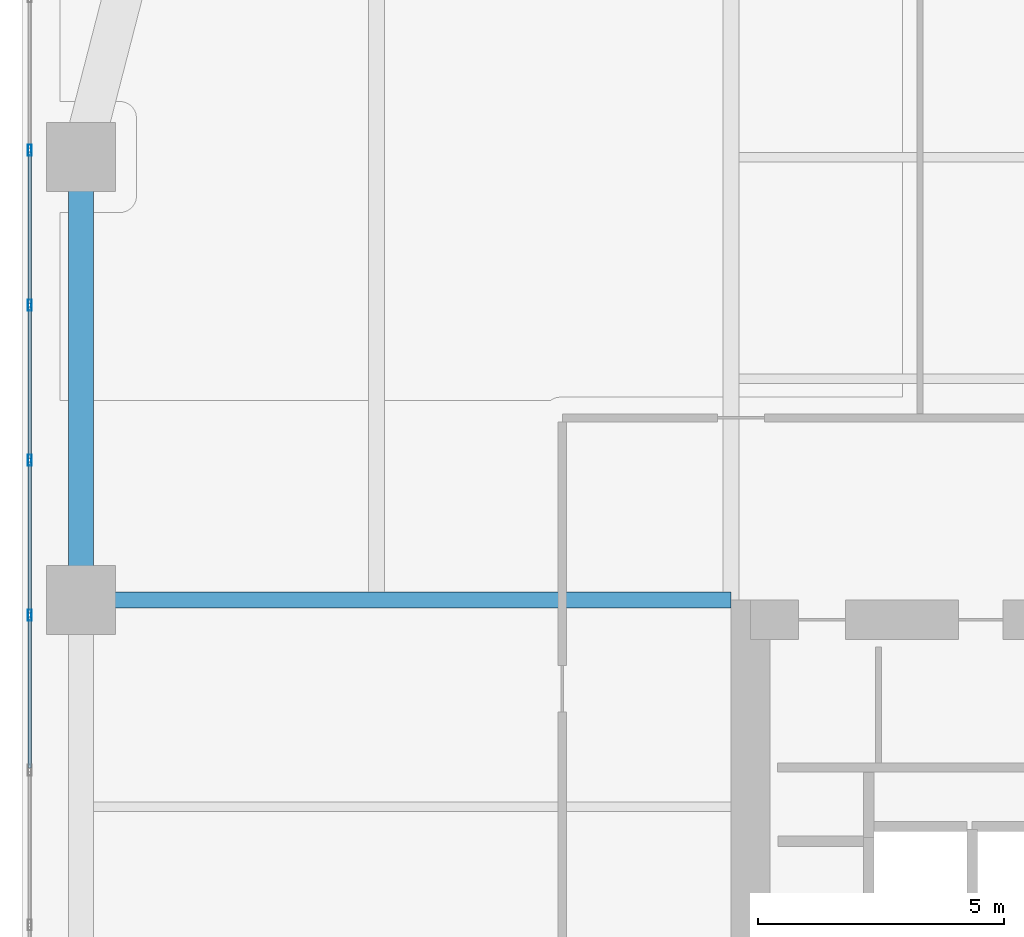
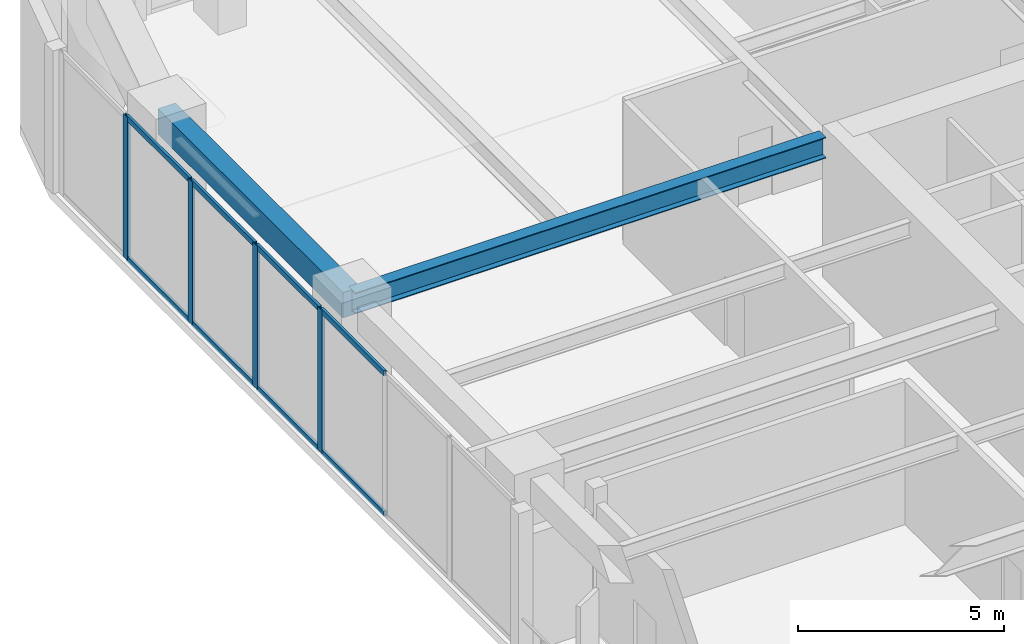
# One storey, part 7 of 20: 12 members, 2 beams, 1 element without a shape of its own.
"""IFC4 building model written with IfcOpenShell, lengths in metres."""

from ifc_helpers import new_model, si_unit, direction, frame, origin, origin_2d, place, context, subcontext, project, spatial, rectangle, hollow_rectangle, i_section, extrude, material, layer, layer_set, material_profile, profile_set, type_object, element, aggregate, save


model = new_model("IFC4")

# Units and contexts
model_context = context("Model", 3, precision=1e-05, world=origin(), true_north=direction((0.0, 1.0)))
body_context = subcontext(model_context, "Body", "Model", "MODEL_VIEW")
ifc_project = project(units=[si_unit("LENGTHUNIT", "METRE"), si_unit("AREAUNIT", "SQUARE_METRE"), si_unit("VOLUMEUNIT", "CUBIC_METRE"), si_unit("PLANEANGLEUNIT", "RADIAN"), si_unit("MASSUNIT", "GRAM", prefix="KILO")], contexts=[model_context])

# Site, building, storey
site_placement = place(None, origin())
site = spatial("IfcSite", under=ifc_project, at=site_placement, CompositionType="ELEMENT")
building_placement = place(site_placement, origin())
building = spatial("IfcBuilding", under=site, at=building_placement, Name="Kiyonajd Concourse Tower", CompositionType="ELEMENT")
storey_placement = place(building_placement, frame((0.0, 0.0, 125.39990234375)))
storey = spatial("IfcBuildingStorey", under=building, at=storey_placement, Name="L32", CompositionType="ELEMENT", Elevation=125.39990234375)

# Beams
ifc_material_1 = material(Name="Precast concrete C50/60", Category="concrete")
ifc_material_profile_1 = material_profile(ifc_material_1, rectangle(XDim=0.5, YDim=0.75, at=origin_2d()), Name="RCBM-500x750")
ifc_profile_set_1 = profile_set([ifc_material_profile_1], Name="Precast concrete C50/60")
beam_type_1 = type_object("IfcBeamType", Name="BM-SPAN-RC", PredefinedType="SPANDREL", material=ifc_profile_set_1)
beam_1_placement = place(storey_placement, frame((19.199951171875, 53.39990234375, 3.864990234375), z_axis=(0.0, -1.0, 0.0), x_axis=(1.0, 0.0, 0.0)))
element("IfcBeam", 1, at=beam_1_placement, inside=storey, type_object=beam_type_1, Name="L32 Perimeter Bundled Tube Spandrel", PredefinedType="SPANDREL", context=body_context, shape_type="SweptSolid", body=[
    extrude(rectangle(XDim=0.5, YDim=0.75, at=origin_2d()), origin(), (0.0, 0.0, 1.0), 9.0),
])
ifc_material_2 = material(Name="Steel ASTM A992 Grade 50", Category="steel")
ifc_material_profile_2 = material_profile(ifc_material_2, i_section(OverallWidth=0.326904296875, OverallDepth=0.6220703125, WebThickness=0.015380859375, FlangeThickness=0.0244140625, at=origin_2d()), Name="W610X195")
ifc_profile_set_2 = profile_set([ifc_material_profile_2], Name="Steel ASTM A992 Grade 50")
beam_type_2 = type_object("IfcBeamType", Name="BM-TWR-610A", PredefinedType="BEAM", material=ifc_profile_set_2)
beam_2_placement = place(storey_placement, frame((19.199951171875, 44.39990234375, 3.92919921875), z_axis=(1.0, 0.0, 0.0), x_axis=(0.0, 1.0, 0.0)))
element("IfcBeam", 2, at=beam_2_placement, inside=storey, type_object=beam_type_2, Name="L32 West Lease Girder", PredefinedType="BEAM", context=body_context, shape_type="SweptSolid", body=[
    extrude(i_section(OverallWidth=0.326904296875, OverallDepth=0.6220703125, WebThickness=0.015380859375, FlangeThickness=0.0244140625, at=origin_2d()), origin(), (0.0, 0.0, 1.0), 13.199951171875),
])

# Curtain wall, members
ifc_material_3 = material(Name="Thermally Broken Anodised Aluminium", Category="aluminium")
ifc_layer = layer(ifc_material_3, 0.179931640625)
ifc_layer_set = layer_set([ifc_layer], Name="Thermally Broken Anodised Aluminium")
curtain_wall_type = type_object("IfcCurtainWallType", Name="CW-SYS-05", PredefinedType="NOTDEFINED", material=ifc_layer_set)
curtain_wall_placement = place(storey_placement, origin())
curtain_wall = element("IfcCurtainWall", 3, at=curtain_wall_placement, inside=storey, type_object=curtain_wall_type, Name="L32 Unitised Curtain Wall CW5", PredefinedType="NOTDEFINED")
ifc_material_profile_3 = material_profile(ifc_material_3, hollow_rectangle(XDim=0.074951171875, YDim=0.219970703125, WallThickness=0.0048828125, at=origin_2d()), Name="MULL-75x220")
ifc_profile_set_3 = profile_set([ifc_material_profile_3], Name="Thermally Broken Anodised Aluminium")
member_type_1 = type_object("IfcMemberType", Name="MB-CW-MULL2", PredefinedType="MULLION", material=ifc_profile_set_3)
member_1_placement = place(storey_placement, frame((18.159912109375, 44.09521484375, 0.0), z_axis=(0.0, 0.0, 1.0), x_axis=(-1.0, 0.0, 0.0)))
member_1 = element("IfcMember", 4, at=member_1_placement, type_object=member_type_1, Name="CW5 mullion 4", PredefinedType="MULLION", context=body_context, shape_type="SweptSolid", body=[
    extrude(hollow_rectangle(XDim=0.074951171875, YDim=0.219970703125, WallThickness=0.0048828125, at=origin_2d()), origin(), (0.0, 0.0, 1.0), 4.239990234375),
])
member_2_placement = place(storey_placement, frame((18.159912109375, 47.24365234375, 0.0), z_axis=(0.0, 0.0, 1.0), x_axis=(-1.0, 0.0, 0.0)))
member_2 = element("IfcMember", 5, at=member_2_placement, type_object=member_type_1, Name="CW5 mullion 5", PredefinedType="MULLION", context=body_context, shape_type="SweptSolid", body=[
    extrude(hollow_rectangle(XDim=0.074951171875, YDim=0.219970703125, WallThickness=0.0048828125, at=origin_2d()), origin(), (0.0, 0.0, 1.0), 4.239990234375),
])
member_3_placement = place(storey_placement, frame((18.159912109375, 50.39208984375, 0.0), z_axis=(0.0, 0.0, 1.0), x_axis=(-1.0, 0.0, 0.0)))
member_3 = element("IfcMember", 6, at=member_3_placement, type_object=member_type_1, Name="CW5 mullion 6", PredefinedType="MULLION", context=body_context, shape_type="SweptSolid", body=[
    extrude(hollow_rectangle(XDim=0.074951171875, YDim=0.219970703125, WallThickness=0.0048828125, at=origin_2d()), origin(), (0.0, 0.0, 1.0), 4.239990234375),
])
member_4_placement = place(storey_placement, frame((18.159912109375, 53.54052734375, 0.0), z_axis=(0.0, 0.0, 1.0), x_axis=(-1.0, 0.0, 0.0)))
member_4 = element("IfcMember", 7, at=member_4_placement, type_object=member_type_1, Name="CW5 mullion 7", PredefinedType="MULLION", context=body_context, shape_type="SweptSolid", body=[
    extrude(hollow_rectangle(XDim=0.074951171875, YDim=0.219970703125, WallThickness=0.0048828125, at=origin_2d()), origin(), (0.0, 0.0, 1.0), 4.239990234375),
])
ifc_material_profile_4 = material_profile(ifc_material_3, hollow_rectangle(XDim=0.074951171875, YDim=0.159912109375, WallThickness=0.0048828125, at=origin_2d()), Name="TRAN-75x160")
ifc_profile_set_4 = profile_set([ifc_material_profile_4], Name="Thermally Broken Anodised Aluminium")
member_type_2 = type_object("IfcMemberType", Name="MB-CW-TRAN2", PredefinedType="USERDEFINED", material=ifc_profile_set_4)
member_5_placement = place(storey_placement, frame((18.159912109375, 40.984375, 0.03759765625), z_axis=(0.0, 1.0, 0.0), x_axis=(-1.0, 0.0, 0.0)))
member_5 = element("IfcMember", 8, at=member_5_placement, type_object=member_type_2, Name="CW5 transom 3.1", ObjectType="TRANSOM", PredefinedType="USERDEFINED", context=body_context, shape_type="SweptSolid", body=[
    extrude(hollow_rectangle(XDim=0.074951171875, YDim=0.159912109375, WallThickness=0.0048828125, at=origin_2d()), origin(), (0.0, 0.0, 1.0), 3.073486328125),
])
member_6_placement = place(storey_placement, frame((18.159912109375, 40.984375, 4.20263671875), z_axis=(0.0, 1.0, 0.0), x_axis=(-1.0, 0.0, 0.0)))
member_6 = element("IfcMember", 9, at=member_6_placement, type_object=member_type_2, Name="CW5 transom 3.2", ObjectType="TRANSOM", PredefinedType="USERDEFINED", context=body_context, shape_type="SweptSolid", body=[
    extrude(hollow_rectangle(XDim=0.074951171875, YDim=0.159912109375, WallThickness=0.0048828125, at=origin_2d()), origin(), (0.0, 0.0, 1.0), 3.073486328125),
])
member_7_placement = place(storey_placement, frame((18.159912109375, 44.1328125, 0.03759765625), z_axis=(0.0, 1.0, 0.0), x_axis=(-1.0, 0.0, 0.0)))
member_7 = element("IfcMember", 10, at=member_7_placement, type_object=member_type_2, Name="CW5 transom 4.1", ObjectType="TRANSOM", PredefinedType="USERDEFINED", context=body_context, shape_type="SweptSolid", body=[
    extrude(hollow_rectangle(XDim=0.074951171875, YDim=0.159912109375, WallThickness=0.0048828125, at=origin_2d()), origin(), (0.0, 0.0, 1.0), 3.0732421875),
])
member_8_placement = place(storey_placement, frame((18.159912109375, 44.1328125, 4.20263671875), z_axis=(0.0, 1.0, 0.0), x_axis=(-1.0, 0.0, 0.0)))
member_8 = element("IfcMember", 11, at=member_8_placement, type_object=member_type_2, Name="CW5 transom 4.2", ObjectType="TRANSOM", PredefinedType="USERDEFINED", context=body_context, shape_type="SweptSolid", body=[
    extrude(hollow_rectangle(XDim=0.074951171875, YDim=0.159912109375, WallThickness=0.0048828125, at=origin_2d()), origin(), (0.0, 0.0, 1.0), 3.0732421875),
])
member_9_placement = place(storey_placement, frame((18.159912109375, 47.28125, 0.03759765625), z_axis=(0.0, 1.0, 0.0), x_axis=(-1.0, 0.0, 0.0)))
member_9 = element("IfcMember", 12, at=member_9_placement, type_object=member_type_2, Name="CW5 transom 5.1", ObjectType="TRANSOM", PredefinedType="USERDEFINED", context=body_context, shape_type="SweptSolid", body=[
    extrude(hollow_rectangle(XDim=0.074951171875, YDim=0.159912109375, WallThickness=0.0048828125, at=origin_2d()), origin(), (0.0, 0.0, 1.0), 3.0732421875),
])
member_10_placement = place(storey_placement, frame((18.159912109375, 47.28125, 4.20263671875), z_axis=(0.0, 1.0, 0.0), x_axis=(-1.0, 0.0, 0.0)))
member_10 = element("IfcMember", 13, at=member_10_placement, type_object=member_type_2, Name="CW5 transom 5.2", ObjectType="TRANSOM", PredefinedType="USERDEFINED", context=body_context, shape_type="SweptSolid", body=[
    extrude(hollow_rectangle(XDim=0.074951171875, YDim=0.159912109375, WallThickness=0.0048828125, at=origin_2d()), origin(), (0.0, 0.0, 1.0), 3.0732421875),
])
member_11_placement = place(storey_placement, frame((18.159912109375, 50.4296875, 0.03759765625), z_axis=(0.0, 1.0, 0.0), x_axis=(-1.0, 0.0, 0.0)))
member_11 = element("IfcMember", 14, at=member_11_placement, type_object=member_type_2, Name="CW5 transom 6.1", ObjectType="TRANSOM", PredefinedType="USERDEFINED", context=body_context, shape_type="SweptSolid", body=[
    extrude(hollow_rectangle(XDim=0.074951171875, YDim=0.159912109375, WallThickness=0.0048828125, at=origin_2d()), origin(), (0.0, 0.0, 1.0), 3.0732421875),
])
member_12_placement = place(storey_placement, frame((18.159912109375, 50.4296875, 4.20263671875), z_axis=(0.0, 1.0, 0.0), x_axis=(-1.0, 0.0, 0.0)))
member_12 = element("IfcMember", 15, at=member_12_placement, type_object=member_type_2, Name="CW5 transom 6.2", ObjectType="TRANSOM", PredefinedType="USERDEFINED", context=body_context, shape_type="SweptSolid", body=[
    extrude(hollow_rectangle(XDim=0.074951171875, YDim=0.159912109375, WallThickness=0.0048828125, at=origin_2d()), origin(), (0.0, 0.0, 1.0), 3.0732421875),
])
aggregate(curtain_wall, [member_1, member_2, member_3, member_4, member_5, member_6, member_7, member_8, member_9, member_10, member_11, member_12])

save(model, "model.ifc")
